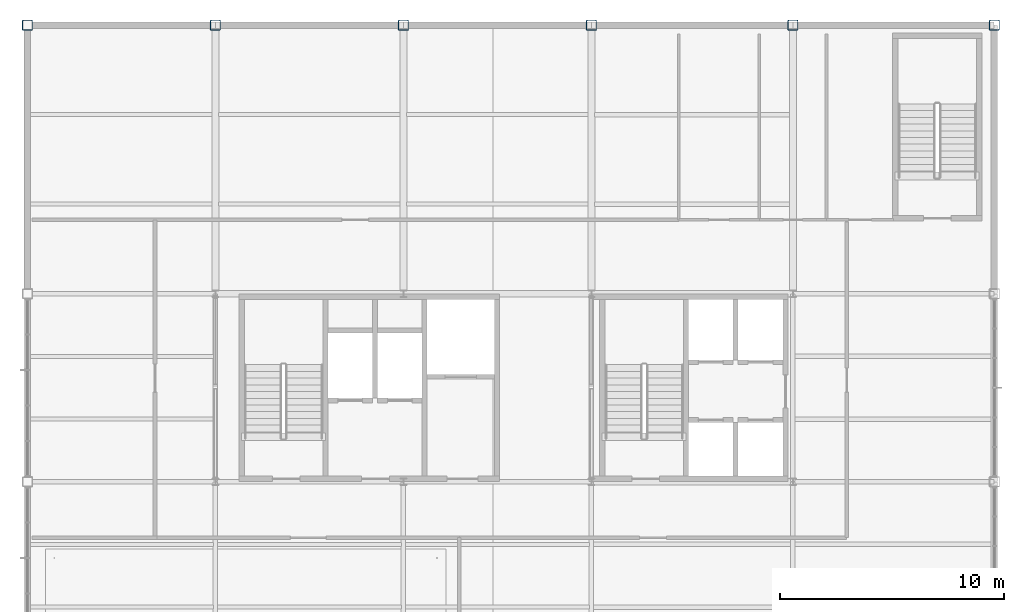
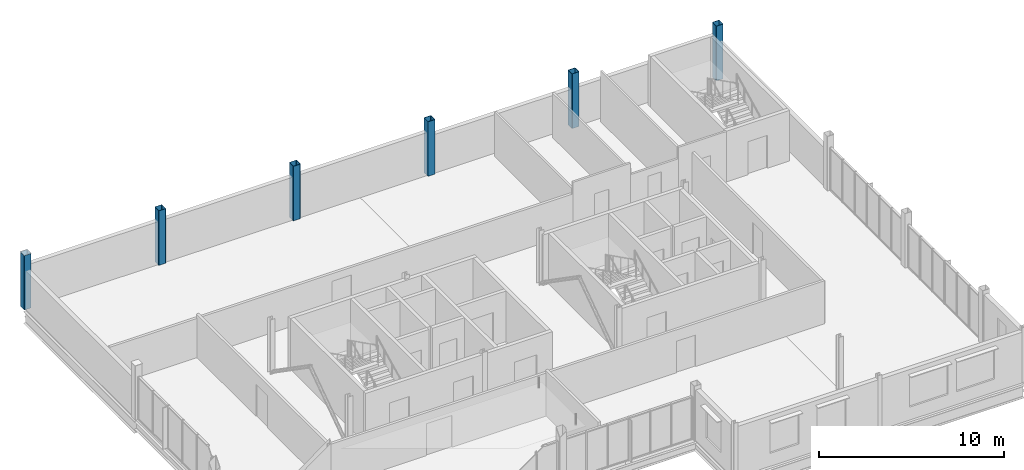
# One storey, part 3 of 19: 6 columns.
"""IFC4 building model written with IfcOpenShell, lengths in metres."""

import ifcopenshell
import ifcopenshell.guid

model = None  # the IFC model being written
_history = None  # IfcOwnerHistory: only IFC2X3 demands one
_inside = {}  # id of a spatial element -> (the spatial element, [elements in it])
_under = {}  # id of a project, library or spatial element -> (it, [spatial elements below it])
_declared = {}  # id of a project -> (the project, [libraries it declares])
_typed = {}  # id of a type object -> (the type object, [elements of that type])
_made_of = {}  # id of a material, layer set ... -> (it, [elements and type objects made of it])


def new_model(schema):
    """Start an empty IFC model of exactly this schema.

    Asked for "IFC4X3", IfcOpenShell would pick the latest addendum, in which some entities
    have other attributes; the version numbers below select the first issue.
    IFC2X3 requires an IfcOwnerHistory on every rooted entity: one is made here for all.
    """
    global model, _history
    if schema == "IFC4X3":
        model = ifcopenshell.file(schema_version=(4, 3, 0, 0))
    else:
        model = ifcopenshell.file(schema=schema)
    _inside.clear()
    _under.clear()
    _declared.clear()
    _typed.clear()
    _made_of.clear()
    _history = None
    if model.schema == "IFC2X3":
        org = make("IfcOrganization", Name="unknown")
        user = make(
            "IfcPersonAndOrganization",
            ThePerson=make("IfcPerson", FamilyName="unknown"),
            TheOrganization=org,
        )
        app = make(
            "IfcApplication",
            ApplicationDeveloper=org,
            Version="unknown",
            ApplicationFullName="unknown",
            ApplicationIdentifier="unknown",
        )
        _history = make(
            "IfcOwnerHistory",
            OwningUser=user,
            OwningApplication=app,
            ChangeAction="ADDED",
            CreationDate=0,
        )
    return model


def make(cls, **values):
    """One entity of the class cls with the attributes given. An attribute that is None is left unset."""
    return model.create_entity(
        cls, **{name: value for name, value in values.items() if value is not None}
    )


def rooted(cls, **values):
    """An entity with a GlobalId (a new one), such as an element, a storey or a relation."""
    return make(cls, GlobalId=ifcopenshell.guid.new(), OwnerHistory=_history, **values)


def si_unit(unit_type, name, prefix=None):
    """IfcSIUnit, for example si_unit("LENGTHUNIT", "METRE", prefix="MILLI")."""
    return make("IfcSIUnit", UnitType=unit_type, Prefix=prefix, Name=name)


def assignment(units):
    """IfcUnitAssignment: the units of a project."""
    return None if units is None else make("IfcUnitAssignment", Units=units)


def point(xyz):
    """IfcCartesianPoint."""
    return None if xyz is None else make("IfcCartesianPoint", Coordinates=xyz)


def direction(xyz):
    """IfcDirection."""
    return None if xyz is None else make("IfcDirection", DirectionRatios=xyz)


def frame(location, z_axis=None, x_axis=None):
    """IfcAxis2Placement3D, a coordinate frame: its origin and axes. An axis left out is left unset."""
    return make(
        "IfcAxis2Placement3D",
        Location=point(location),
        Axis=direction(z_axis),
        RefDirection=direction(x_axis),
    )


def frame_2d(location, x_axis=None):
    """IfcAxis2Placement2D, a coordinate frame in the plane: its origin and x axis."""
    return make(
        "IfcAxis2Placement2D", Location=point(location), RefDirection=direction(x_axis)
    )


def origin():
    """The frame at (0, 0, 0) with its axes left unset."""
    return frame((0.0, 0.0, 0.0))


def origin_2d():
    """The frame at (0, 0) in the plane with its x axis left unset."""
    return frame_2d((0.0, 0.0))


def place(relative_to, where):
    """IfcLocalPlacement: puts the frame where relative to a parent placement (None: the world)."""
    return make(
        "IfcLocalPlacement", PlacementRelTo=relative_to, RelativePlacement=where
    )


def context(
    kind, dimensions, precision=None, world=None, true_north=None, identifier=None
):
    """IfcGeometricRepresentationContext, for example the 3D "Model" context."""
    return make(
        "IfcGeometricRepresentationContext",
        ContextIdentifier=identifier,
        ContextType=kind,
        CoordinateSpaceDimension=dimensions,
        Precision=precision,
        WorldCoordinateSystem=world,
        TrueNorth=true_north,
    )


def subcontext(parent, identifier, kind, view, scale=None):
    """IfcGeometricRepresentationSubContext, for example "Body" below "Model"."""
    return make(
        "IfcGeometricRepresentationSubContext",
        ContextIdentifier=identifier,
        ContextType=kind,
        ParentContext=parent,
        TargetScale=scale,
        TargetView=view,
    )


def project(units=None, contexts=None):
    """IfcProject with its units and contexts."""
    return rooted(
        "IfcProject",
        Name="project",
        RepresentationContexts=contexts,
        UnitsInContext=assignment(units),
    )


def spatial(cls, under=None, at=None, **own):
    """A site, building, storey or space (cls), placed at a placement, below another one or the project."""
    s = rooted(cls, ObjectPlacement=at, **own)
    if under is not None:
        _under.setdefault(under.id(), (under, []))[1].append(s)
    return s


def profile(cls, at=None, kind="AREA", **sizes):
    """A parametric profile (cls). Its sizes go by their IFC names, for example OverallWidth=200.0."""
    return make(cls, ProfileType=kind, Position=at, **sizes)


def hollow_rectangle(**sizes):
    """IfcRectangleHollowProfileDef."""
    return profile("IfcRectangleHollowProfileDef", **sizes)


def extrude(swept, where, along, depth):
    """IfcExtrudedAreaSolid: the profile swept, set in the frame where, extruded along a direction by depth."""
    return make(
        "IfcExtrudedAreaSolid",
        SweptArea=swept,
        Position=where,
        ExtrudedDirection=direction(along),
        Depth=depth,
    )


def shape(context_of_items, identifier, shape_type, items):
    """IfcShapeRepresentation: the items that make up one representation, for example the "Body"."""
    return make(
        "IfcShapeRepresentation",
        ContextOfItems=context_of_items,
        RepresentationIdentifier=identifier,
        RepresentationType=shape_type,
        Items=items,
    )


def material(Name=None, Category=None):
    """IfcMaterial."""
    return make("IfcMaterial", Name=Name, Category=Category)


def material_profile(
    of_material, cross_section, Name=None, Category=None, Priority=None
):
    """IfcMaterialProfile: a cross section and its material."""
    return make(
        "IfcMaterialProfile",
        Name=Name,
        Material=of_material,
        Profile=cross_section,
        Priority=Priority,
        Category=Category,
    )


def profile_set(profiles, Name=None, composite=None):
    """IfcMaterialProfileSet."""
    return make(
        "IfcMaterialProfileSet",
        Name=Name,
        MaterialProfiles=profiles,
        CompositeProfile=composite,
    )


def made_of(thing, what):
    """Note that an element or type object is made of a material, layer set ...; save() writes the relation."""
    if what is not None:
        _made_of.setdefault(what.id(), (what, []))[1].append(thing)
    return thing


def type_object(cls, material=None, **own):
    """A type object (cls), such as IfcWallType, which elements share."""
    return made_of(rooted(cls, **own), material)


def element(
    cls,
    number,
    at=None,
    inside=None,
    cuts=None,
    type_object=None,
    material=None,
    context=None,
    identifier="Body",
    shape_type=None,
    held_by="IfcProductDefinitionShape",
    body=None,
    shapes=None,
    **own,
):
    """One element of the class cls, such as IfcWall. Its Tag is "e" and its number.

    at: its placement. inside: the storey or other place that contains it. cuts: it is an
    opening in that element (IfcRelVoidsElement). A single representation is given by context,
    identifier, shape_type and body (its items); several are given by shapes. held_by: the class
    of the entity that holds the representations. save() writes the other relations.
    """
    e = rooted(cls, Tag="e%d" % number, ObjectPlacement=at, **own)
    if body is not None:
        shapes = [shape(context, identifier, shape_type, body)]
    if shapes is not None:
        e.Representation = make(held_by, Representations=shapes)
    if inside is not None:
        _inside.setdefault(inside.id(), (inside, []))[1].append(e)
    if cuts is not None:
        rooted(
            "IfcRelVoidsElement", RelatingBuildingElement=cuts, RelatedOpeningElement=e
        )
    if type_object is not None:
        _typed.setdefault(type_object.id(), (type_object, []))[1].append(e)
    return made_of(e, material)


def aggregate(whole, parts):
    """IfcRelAggregates: a whole, such as a stair, and the parts it consists of."""
    return rooted("IfcRelAggregates", RelatingObject=whole, RelatedObjects=parts)


def save(model, path):
    """Write the relations noted so far, then the file.

    IfcRelAggregates (storeys below a building ...), IfcRelContainedInSpatialStructure (elements
    in a storey), IfcRelDefinesByType, IfcRelAssociatesMaterial and IfcRelDeclares: one each for
    every whole, place, type object, material and project.
    """
    for whole, parts in _under.values():
        aggregate(whole, parts)
    for where, things in _inside.values():
        rooted(
            "IfcRelContainedInSpatialStructure",
            RelatedElements=things,
            RelatingStructure=where,
        )
    for kind, things in _typed.values():
        rooted("IfcRelDefinesByType", RelatedObjects=things, RelatingType=kind)
    for what, things in _made_of.values():
        rooted("IfcRelAssociatesMaterial", RelatedObjects=things, RelatingMaterial=what)
    for by, libraries in _declared.values():
        rooted("IfcRelDeclares", RelatingContext=by, RelatedDefinitions=libraries)
    model.write(path)


model = new_model("IFC4")

# Units and contexts
model_context = context("Model", 3, precision=1e-05, world=origin(), true_north=direction((0.0, 1.0)))
body_context = subcontext(model_context, "Body", "Model", "MODEL_VIEW")
ifc_project = project(units=[si_unit("LENGTHUNIT", "METRE"), si_unit("AREAUNIT", "SQUARE_METRE"), si_unit("VOLUMEUNIT", "CUBIC_METRE"), si_unit("PLANEANGLEUNIT", "RADIAN"), si_unit("MASSUNIT", "GRAM", prefix="KILO")], contexts=[model_context])

# Site, building, storey
site_placement = place(None, origin())
site = spatial("IfcSite", under=ifc_project, at=site_placement, CompositionType="ELEMENT")
building_placement = place(site_placement, origin())
building = spatial("IfcBuilding", under=site, at=building_placement, Name="Yukiwa Park Conservatory and Herbarium", CompositionType="ELEMENT")
storey_placement = place(building_placement, frame((0.0, 0.0, 46.800048828125)))
storey = spatial("IfcBuildingStorey", under=building, at=storey_placement, Name="L12", CompositionType="ELEMENT", Elevation=46.800048828125)

# Columns
ifc_material = material(Name="Steel Q355D", Category="steel")
ifc_material_profile = material_profile(ifc_material, hollow_rectangle(XDim=0.449951171875, YDim=0.449951171875, WallThickness=0.01806640625, InnerFilletRadius=0.01806640625, OuterFilletRadius=0.035888671875, at=origin_2d()), Name="BOX 450x450x18")
ifc_profile_set = profile_set([ifc_material_profile], Name="Steel Q355D")
column_type = type_object("IfcColumnType", Name="COL-TW-BOX450-EXT", PredefinedType="COLUMN", material=ifc_profile_set)
column_placement = place(storey_placement, frame((124.800048828125, 115.199951171875, 0.0), z_axis=(0.0, 0.0, 1.0), x_axis=(1.0, 0.0, 0.0)))
element("IfcColumn", 1, at=column_placement, inside=storey, type_object=column_type, Name="L12 column V5-X1248-Y1152", PredefinedType="COLUMN", context=body_context, shape_type="SweptSolid", body=[
    extrude(hollow_rectangle(XDim=0.449951171875, YDim=0.449951171875, WallThickness=0.01806640625, InnerFilletRadius=0.01806640625, OuterFilletRadius=0.035888671875, at=origin_2d()), origin(), (0.0, 0.0, 1.0), 3.575927734375),
])
for number, where, z_axis, x_axis, name in (
    (2, (133.199951171875, 115.199951171875, 0.0), (0.0, 0.0, 1.0), (1.0, 0.0, 0.0), "L12 column V5-X1332-Y1152"),
    (3, (141.60009765625, 115.199951171875, 0.0), (0.0, 0.0, 1.0), (1.0, 0.0, 0.0), "L12 column V5-X1416-Y1152"),
    (4, (150.0, 115.199951171875, 0.0), (0.0, 0.0, 1.0), (1.0, 0.0, 0.0), "L12 column V5-X1500-Y1152"),
    (5, (159.0, 115.199951171875, 0.0), (0.0, 0.0, 1.0), (1.0, 0.0, 0.0), "L12 column V5-X1590-Y1152"),
    (6, (168.0, 115.199951171875, 0.0), (0.0, 0.0, 1.0), (1.0, 0.0, 0.0), "L12 column V5-X1680-Y1152"),
):
    element("IfcColumn", number, at=place(storey_placement, frame(where, z_axis=z_axis, x_axis=x_axis)), inside=storey, type_object=column_type, Name=name, PredefinedType="COLUMN", context=body_context, shape_type="SweptSolid", body=[
        extrude(hollow_rectangle(XDim=0.449951171875, YDim=0.449951171875, WallThickness=0.01806640625, InnerFilletRadius=0.01806640625, OuterFilletRadius=0.035888671875, at=origin_2d()), origin(), (0.0, 0.0, 1.0), 3.599853515625),
    ])

save(model, "model.ifc")
